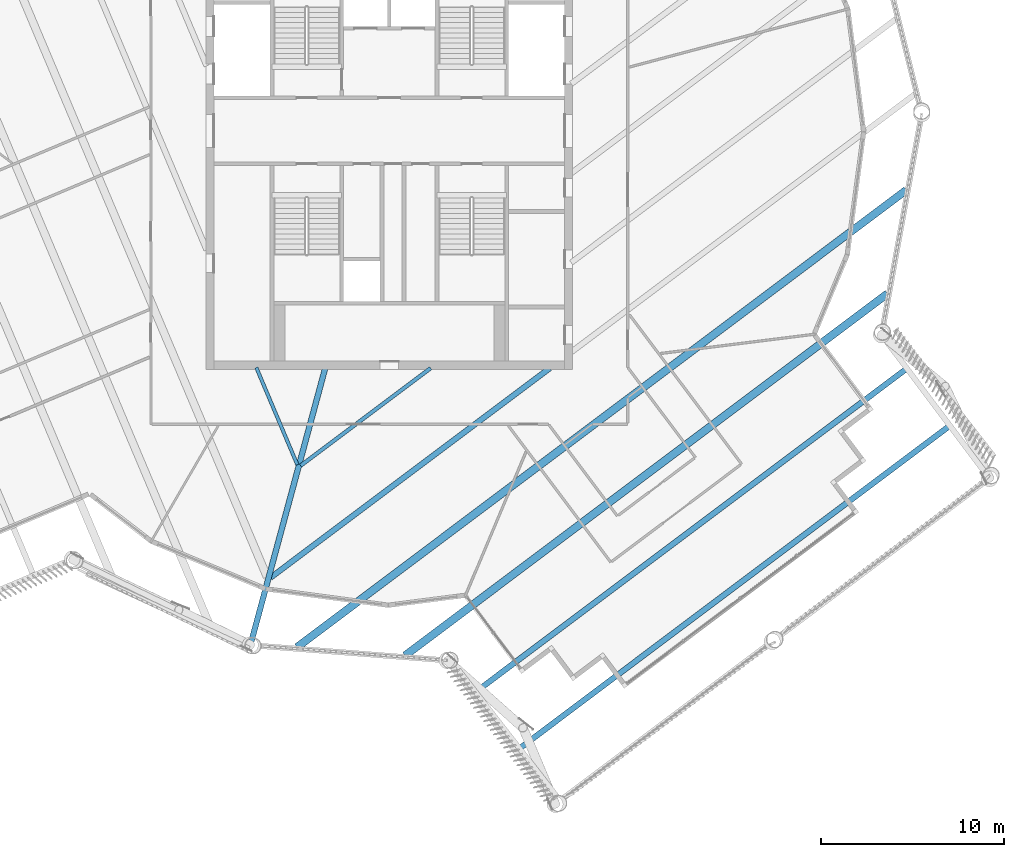
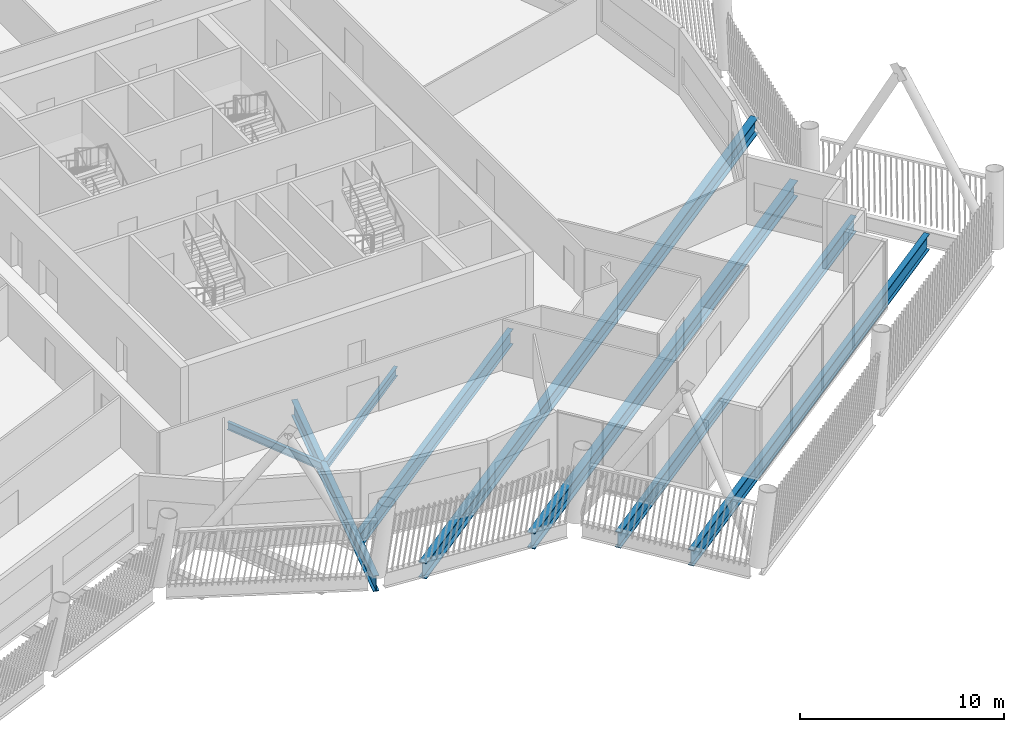
# One storey, part 11 of 35: 8 beams.
"""IFC4 building model written with IfcOpenShell, lengths in metres."""

from ifc_helpers import new_model, si_unit, direction, frame, origin, origin_2d, place, context, subcontext, project, spatial, i_section, extrude, material, material_profile, profile_set, type_object, element, save


model = new_model("IFC4")

# Units and contexts
model_context = context("Model", 3, precision=1e-05, world=origin(), true_north=direction((0.0, 1.0)))
body_context = subcontext(model_context, "Body", "Model", "MODEL_VIEW")
ifc_project = project(units=[si_unit("LENGTHUNIT", "METRE"), si_unit("AREAUNIT", "SQUARE_METRE"), si_unit("VOLUMEUNIT", "CUBIC_METRE"), si_unit("PLANEANGLEUNIT", "RADIAN"), si_unit("MASSUNIT", "GRAM", prefix="KILO")], contexts=[model_context])

# Site, building, storey
site_placement = place(None, origin())
site = spatial("IfcSite", under=ifc_project, at=site_placement, CompositionType="ELEMENT")
building_placement = place(site_placement, origin())
building = spatial("IfcBuilding", under=site, at=building_placement, Name="Tarsis Ring Headquarters", CompositionType="ELEMENT")
storey_placement = place(building_placement, frame((0.0, 0.0, 377.60009765625)))
storey = spatial("IfcBuildingStorey", under=building, at=storey_placement, Name="L89", CompositionType="ELEMENT", Elevation=377.60009765625)

# Beams
ifc_material = material(Name="Structural steel S355", Category="steel")
ifc_material_profile_1 = material_profile(ifc_material, i_section(OverallWidth=0.1904296875, OverallDepth=0.457275390625, WebThickness=0.009033203125, FlangeThickness=0.014404296875, at=origin_2d()), Name="W18x50")
ifc_profile_set_1 = profile_set([ifc_material_profile_1], Name="Structural steel S355")
beam_type_1 = type_object("IfcBeamType", Name="FB Floor beam W18x50", PredefinedType="JOIST", material=ifc_profile_set_1)
beam_1_placement = place(storey_placement, frame((-7.251953125, -12.907958984375, -0.388671875), z_axis=(0.388789475643, -0.921326621578, 0.0), x_axis=(0.921326621578, 0.388789475643, 0.0)))
element("IfcBeam", 1, at=beam_1_placement, inside=storey, type_object=beam_type_1, Name="Floor beam FB2", PredefinedType="JOIST", context=body_context, shape_type="SweptSolid", body=[
    extrude(i_section(OverallWidth=0.1904296875, OverallDepth=0.457275390625, WebThickness=0.009033203125, FlangeThickness=0.014404296875, at=origin_2d()), origin(), (0.0, 0.0, 1.0), 5.750732421875),
])
ifc_material_profile_2 = material_profile(ifc_material, i_section(OverallWidth=0.209228515625, OverallDepth=0.533447265625, WebThickness=0.01025390625, FlangeThickness=0.015625, at=origin_2d()), Name="W21x62")
ifc_profile_set_2 = profile_set([ifc_material_profile_2], Name="Structural steel S355")
beam_type_2 = type_object("IfcBeamType", Name="FB Floor beam W21x62", PredefinedType="JOIST", material=ifc_profile_set_2)
beam_2_placement = place(storey_placement, frame((-4.835693359375, -18.255126953125, -0.4267578125), z_axis=(0.79989082428, 0.600145540042, 0.0), x_axis=(-0.600145540042, 0.79989082428, 0.0)))
element("IfcBeam", 2, at=beam_2_placement, inside=storey, type_object=beam_type_2, Name="Floor beam FB3", PredefinedType="JOIST", context=body_context, shape_type="SweptSolid", body=[
    extrude(i_section(OverallWidth=0.209228515625, OverallDepth=0.533447265625, WebThickness=0.01025390625, FlangeThickness=0.015625, at=origin_2d()), origin(), (0.0, 0.0, 1.0), 8.8564453125),
])
ifc_material_profile_3 = material_profile(ifc_material, i_section(OverallWidth=0.3046875, OverallDepth=0.904296875, WebThickness=0.01513671875, FlangeThickness=0.02001953125, at=origin_2d()), Name="W36x135")
ifc_profile_set_3 = profile_set([ifc_material_profile_3], Name="Structural steel S355")
beam_type_3 = type_object("IfcBeamType", Name="FB Floor beam W36x135", PredefinedType="JOIST", material=ifc_profile_set_3)
beam_3_placement = place(storey_placement, frame((-6.488037109375, -24.370361328125, -0.6123046875), z_axis=(0.799892312758, 0.600143556152, 0.0), x_axis=(-0.600143556152, 0.799892312758, 0.0)))
element("IfcBeam", 3, at=beam_3_placement, inside=storey, type_object=beam_type_3, Name="Floor beam FB8", PredefinedType="JOIST", context=body_context, shape_type="SweptSolid", body=[
    extrude(i_section(OverallWidth=0.3046875, OverallDepth=0.904296875, WebThickness=0.01513671875, FlangeThickness=0.02001953125, at=origin_2d()), origin(), (0.0, 0.0, 1.0), 19.046142578125),
])
ifc_material_profile_4 = material_profile(ifc_material, i_section(OverallWidth=0.309814453125, OverallDepth=0.949951171875, WebThickness=0.0244140625, FlangeThickness=0.0439453125, at=origin_2d()), Name="W36x256")
ifc_profile_set_4 = profile_set([ifc_material_profile_4], Name="Structural steel S355")
beam_type_4 = type_object("IfcBeamType", Name="FB Floor beam W36x256", PredefinedType="JOIST", material=ifc_profile_set_4)
beam_4_placement = place(storey_placement, frame((4.58740234375, -30.687744140625, -0.635009765625), z_axis=(0.79989569364, 0.600139049967, 0.0), x_axis=(-0.600139049967, 0.79989569364, 0.0)))
element("IfcBeam", 4, at=beam_4_placement, inside=storey, type_object=beam_type_4, Name="Floor beam FB11", PredefinedType="JOIST", context=body_context, shape_type="SweptSolid", body=[
    extrude(i_section(OverallWidth=0.309814453125, OverallDepth=0.949951171875, WebThickness=0.0244140625, FlangeThickness=0.0439453125, at=origin_2d()), origin(), (0.0, 0.0, 1.0), 29.4951171875),
])
beam_5_placement = place(storey_placement, frame((6.927978515625, -33.807373046875, -0.635009765625), z_axis=(0.799891720125, 0.600144346034, 0.0), x_axis=(-0.600144346034, 0.799891720125, 0.0)))
element("IfcBeam", 5, at=beam_5_placement, inside=storey, type_object=beam_type_4, Name="Floor beam FB11", PredefinedType="JOIST", context=body_context, shape_type="SweptSolid", body=[
    extrude(i_section(OverallWidth=0.309814453125, OverallDepth=0.949951171875, WebThickness=0.0244140625, FlangeThickness=0.0439453125, at=origin_2d()), origin(), (0.0, 0.0, 1.0), 29.495361328125),
])
beam_type_5 = type_object("IfcBeamType", Name="FB Floor beam W36x256 spine", PredefinedType="BEAM", material=ifc_profile_set_4)
beam_6_placement = place(storey_placement, frame((-3.486572265625, -12.903564453125, -0.635009765625), z_axis=(-0.260838982222, -0.965382320821, 0.0), x_axis=(0.965382320821, -0.260838982222, 0.0)))
element("IfcBeam", 6, at=beam_6_placement, inside=storey, type_object=beam_type_5, Name="Floor beam SB11", PredefinedType="BEAM", context=body_context, shape_type="SweptSolid", body=[
    extrude(i_section(OverallWidth=0.309814453125, OverallDepth=0.949951171875, WebThickness=0.0244140625, FlangeThickness=0.0439453125, at=origin_2d()), origin(), (0.0, 0.0, 1.0), 15.627197265625),
])
ifc_material_profile_5 = material_profile(ifc_material, i_section(OverallWidth=0.42431640625, OverallDepth=0.947509765625, WebThickness=0.02392578125, FlangeThickness=0.042724609375, at=origin_2d()), Name="W36x302")
ifc_profile_set_5 = profile_set([ifc_material_profile_5], Name="Structural steel S355")
beam_type_6 = type_object("IfcBeamType", Name="FB Floor beam W36x302", PredefinedType="JOIST", material=ifc_profile_set_5)
beam_7_placement = place(storey_placement, frame((-5.031982421875, -28.153564453125, -0.6337890625), z_axis=(0.799895586208, 0.600139193159, 0.0), x_axis=(-0.600139193159, 0.799895586208, 0.0)))
element("IfcBeam", 7, at=beam_7_placement, inside=storey, type_object=beam_type_6, Name="Floor beam FB12", PredefinedType="JOIST", context=body_context, shape_type="SweptSolid", body=[
    extrude(i_section(OverallWidth=0.42431640625, OverallDepth=0.947509765625, WebThickness=0.02392578125, FlangeThickness=0.042724609375, at=origin_2d()), origin(), (0.0, 0.0, 1.0), 41.53125),
])
beam_8_placement = place(storey_placement, frame((0.857666015625, -28.6103515625, -0.6337890625), z_axis=(0.799893073545, 0.600142542147, 0.0), x_axis=(-0.600142542147, 0.799893073545, 0.0)))
element("IfcBeam", 8, at=beam_8_placement, inside=storey, type_object=beam_type_6, Name="Floor beam FB12", PredefinedType="JOIST", context=body_context, shape_type="SweptSolid", body=[
    extrude(i_section(OverallWidth=0.42431640625, OverallDepth=0.947509765625, WebThickness=0.02392578125, FlangeThickness=0.042724609375, at=origin_2d()), origin(), (0.0, 0.0, 1.0), 32.8828125),
])

save(model, "model.ifc")
